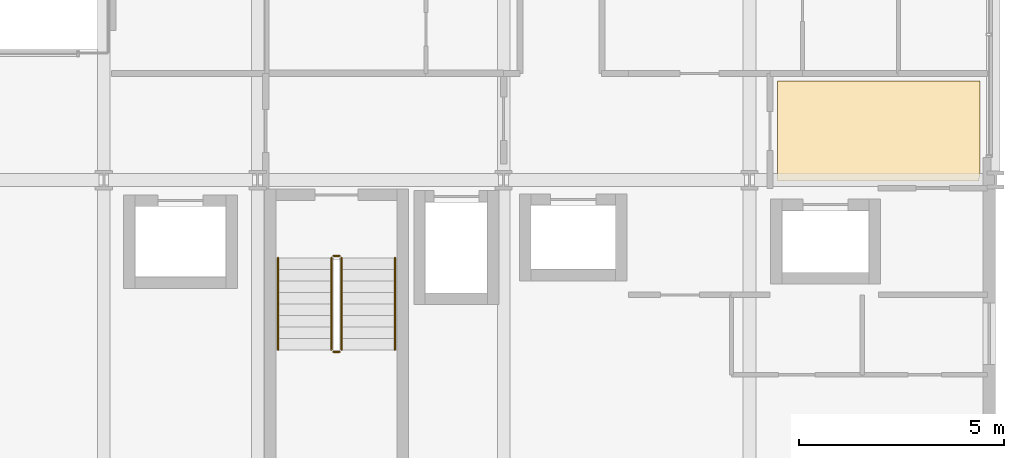
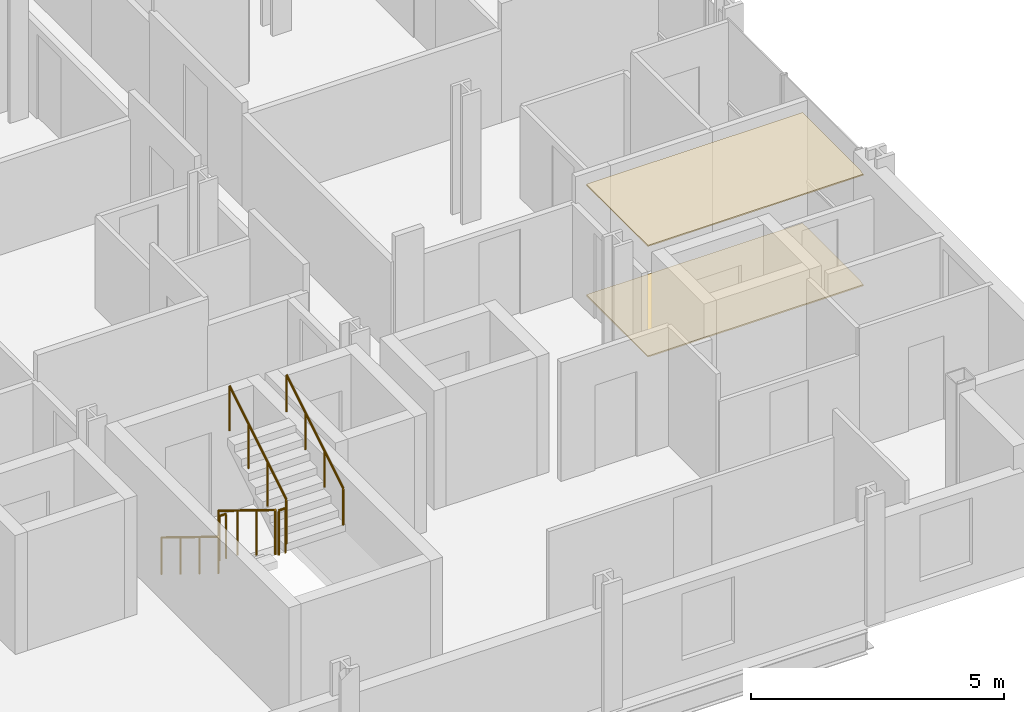
# One storey, part 40 of 41: 6 railings, 2 coverings.
"""IFC4 building model written with IfcOpenShell, lengths in metres."""

from ifc_helpers import new_model, si_unit, direction, frame, origin, origin_2d, place, context, subcontext, project, spatial, polyline, circle, outline, extrude, material, layer, layer_set, type_object, element, save


model = new_model("IFC4")

# Units and contexts
model_context = context("Model", 3, precision=1e-05, world=origin(), true_north=direction((0.0, 1.0)))
body_context = subcontext(model_context, "Body", "Model", "MODEL_VIEW")
ifc_project = project(units=[si_unit("LENGTHUNIT", "METRE"), si_unit("AREAUNIT", "SQUARE_METRE"), si_unit("VOLUMEUNIT", "CUBIC_METRE"), si_unit("PLANEANGLEUNIT", "RADIAN"), si_unit("MASSUNIT", "GRAM", prefix="KILO")], contexts=[model_context])

# Site, building, storey
site_placement = place(None, origin())
site = spatial("IfcSite", under=ifc_project, at=site_placement, CompositionType="ELEMENT")
building_placement = place(site_placement, origin())
building = spatial("IfcBuilding", under=site, at=building_placement, Name="Brevholm Reach", CompositionType="ELEMENT")
storey_placement = place(building_placement, frame((0.0, 0.0, 55.89990234375)))
storey = spatial("IfcBuildingStorey", under=building, at=storey_placement, Name="L15", CompositionType="ELEMENT", Elevation=55.89990234375)

# Coverings
ifc_material_1 = material(Name="Moisture-Resistant Skimmed Gypsum Plasterboard Ceiling", Category="gypsum")
ifc_layer_1 = layer(ifc_material_1, 0.030029296875)
ifc_layer_set_1 = layer_set([ifc_layer_1], Name="Moisture-Resistant Skimmed Gypsum Plasterboard Ceiling")
covering_type_1 = type_object("IfcCoveringType", Name="COV-CLG-GYP", PredefinedType="CEILING", material=ifc_layer_set_1)
covering_1_placement = place(storey_placement, frame((0.0, 0.0, 2.670166015625)))
element("IfcCovering", 1, at=covering_1_placement, inside=storey, type_object=covering_type_1, Name="L15 Suspended Ceiling L15-33", PredefinedType="CEILING", context=body_context, shape_type="SweptSolid", body=[
    extrude(outline(polyline([(59.6201171875, 12.419921875), (59.6201171875, 10.123779296875), (59.6171875, 10.1162109375), (59.607666015625, 10.077880859375), (59.601806640625, 10.039306640625), (59.60009765625, 10.0), (59.60107421875, 9.97998046875), (54.68408203125, 9.97998046875), (54.68408203125, 12.419921875), (59.6201171875, 12.419921875)])), origin(), (0.0, 0.0, 1.0), 0.030029296875),
])
ifc_material_2 = material(Name="Honed Portland-Aggregate Resin Terrazzo Flooring", Category="concrete")
ifc_layer_2 = layer(ifc_material_2, 0.031982421875)
ifc_layer_set_2 = layer_set([ifc_layer_2], Name="Honed Portland-Aggregate Resin Terrazzo Flooring")
covering_type_2 = type_object("IfcCoveringType", Name="COV-FLR-TRZ", PredefinedType="FLOORING", material=ifc_layer_set_2)
covering_2_placement = place(storey_placement, origin())
element("IfcCovering", 2, at=covering_2_placement, inside=storey, type_object=covering_type_2, Name="L15 Floor Finish L15-33", PredefinedType="FLOORING", context=body_context, shape_type="SweptSolid", body=[
    extrude(outline(polyline([(59.6201171875, 12.419921875), (59.6201171875, 10.123779296875), (59.6171875, 10.1162109375), (59.607666015625, 10.077880859375), (59.601806640625, 10.039306640625), (59.60009765625, 10.0), (59.60107421875, 9.97998046875), (54.68408203125, 9.97998046875), (54.68408203125, 12.419921875), (59.6201171875, 12.419921875)])), origin(), (0.0, 0.0, 1.0), 0.031982421875),
])

# Railings
ifc_material_3 = material(Name="Brushed Stainless Steel EN 1.4401 Continuous Handrail", Category="steel")
railing_type_1 = type_object("IfcRailingType", Name="RAL-HND-950", PredefinedType="HANDRAIL", material=ifc_material_3)
railing_1_placement = place(storey_placement, frame((42.5, 8.10009765625, 0.17236328125)))
element("IfcRailing", 3, at=railing_1_placement, inside=storey, type_object=railing_type_1, Name="L15 ST-2 stair handrail 1", PredefinedType="HANDRAIL", context=body_context, shape_type="SweptSolid", body=[
    extrude(circle(Radius=0.02392578125, at=origin_2d()), frame((0.0, 0.0, 0.8857421875), z_axis=(0.0, -0.85178898068, 0.523885037382), x_axis=(1.0, 0.0, 0.0)), (0.0, 0.0, 1.0), 2.629638671875),
    extrude(circle(Radius=0.02099609375, at=origin_2d()), origin(), (0.0, 0.0, 1.0), 0.86181640625),
    extrude(circle(Radius=0.02099609375, at=origin_2d()), frame((0.0, -0.74658203125, 0.459228515625)), (0.0, 0.0, 1.0), 0.86181640625),
    extrude(circle(Radius=0.02099609375, at=origin_2d()), frame((0.0, -1.493408203125, 0.91845703125)), (0.0, 0.0, 1.0), 0.86181640625),
    extrude(circle(Radius=0.02099609375, at=origin_2d()), frame((0.0, -2.239990234375, 1.377685546875)), (0.0, 0.0, 1.0), 0.86181640625),
])
railing_2_placement = place(storey_placement, frame((45.35009765625, 5.860107421875, 1.722412109375)))
element("IfcRailing", 4, at=railing_2_placement, inside=storey, type_object=railing_type_1, Name="L15 ST-2 stair handrail 2", PredefinedType="HANDRAIL", context=body_context, shape_type="SweptSolid", body=[
    extrude(circle(Radius=0.02392578125, at=origin_2d()), frame((0.0, 0.0, 0.8857421875), z_axis=(0.0, 0.85178898068, 0.523885037382), x_axis=(-1.0, 0.0, 0.0)), (0.0, 0.0, 1.0), 2.629638671875),
    extrude(circle(Radius=0.02099609375, at=origin_2d()), origin(), (0.0, 0.0, 1.0), 0.86181640625),
    extrude(circle(Radius=0.02099609375, at=origin_2d()), frame((0.0, 0.74658203125, 0.459228515625)), (0.0, 0.0, 1.0), 0.86181640625),
    extrude(circle(Radius=0.02099609375, at=origin_2d()), frame((0.0, 1.493408203125, 0.91845703125)), (0.0, 0.0, 1.0), 0.86181640625),
    extrude(circle(Radius=0.02099609375, at=origin_2d()), frame((0.0, 2.239990234375, 1.377685546875)), (0.0, 0.0, 1.0), 0.86181640625),
])
ifc_material_4 = material(Name="Painted Tubular Galvanised Steel S275JR Stair Guard", Category="steel")
railing_type_2 = type_object("IfcRailingType", Name="RAL-STG-1120", PredefinedType="BALUSTRADE", material=ifc_material_4)
railing_3_placement = place(storey_placement, frame((43.800048828125, 8.10009765625, 0.17236328125)))
element("IfcRailing", 5, at=railing_3_placement, inside=storey, type_object=railing_type_2, Name="L15 ST-2 stair guard 1", PredefinedType="BALUSTRADE", context=body_context, shape_type="SweptSolid", body=[
    extrude(circle(Radius=0.02392578125, at=origin_2d()), frame((0.0, 0.0, 1.076171875), z_axis=(0.0, -0.85178898068, 0.523885037382), x_axis=(1.0, 0.0, 0.0)), (0.0, 0.0, 1.0), 2.629638671875),
    extrude(circle(Radius=0.02099609375, at=origin_2d()), origin(), (0.0, 0.0, 1.0), 1.052001953125),
    extrude(circle(Radius=0.02099609375, at=origin_2d()), frame((0.0, -0.74658203125, 0.459228515625)), (0.0, 0.0, 1.0), 1.052001953125),
    extrude(circle(Radius=0.02099609375, at=origin_2d()), frame((0.0, -1.493408203125, 0.91845703125)), (0.0, 0.0, 1.0), 1.052001953125),
    extrude(circle(Radius=0.02099609375, at=origin_2d()), frame((0.0, -2.239990234375, 1.377685546875)), (0.0, 0.0, 1.0), 1.052001953125),
])
railing_4_placement = place(storey_placement, frame((43.85009765625, 5.81005859375, 1.550048828125)))
element("IfcRailing", 6, at=railing_4_placement, inside=storey, type_object=railing_type_2, Name="L15 ST-2 stair guard 2", PredefinedType="BALUSTRADE", context=body_context, shape_type="SweptSolid", body=[
    extrude(circle(Radius=0.02392578125, at=origin_2d()), frame((0.0, 0.0, 1.076171875), z_axis=(1.0, 0.0, 0.0), x_axis=(0.0, 1.0, 0.0)), (0.0, 0.0, 1.0), 0.14990234375),
    extrude(circle(Radius=0.02099609375, at=origin_2d()), origin(), (0.0, 0.0, 1.0), 1.052001953125),
    extrude(circle(Radius=0.02099609375, at=origin_2d()), frame((0.14990234375, 0.0, 0.0)), (0.0, 0.0, 1.0), 1.052001953125),
])
railing_5_placement = place(storey_placement, frame((44.050048828125, 5.860107421875, 1.722412109375)))
element("IfcRailing", 7, at=railing_5_placement, inside=storey, type_object=railing_type_2, Name="L15 ST-2 stair guard 3", PredefinedType="BALUSTRADE", context=body_context, shape_type="SweptSolid", body=[
    extrude(circle(Radius=0.02392578125, at=origin_2d()), frame((0.0, 0.0, 1.076171875), z_axis=(0.0, 0.85178898068, 0.523885037382), x_axis=(-1.0, 0.0, 0.0)), (0.0, 0.0, 1.0), 2.629638671875),
    extrude(circle(Radius=0.02099609375, at=origin_2d()), origin(), (0.0, 0.0, 1.0), 1.052001953125),
    extrude(circle(Radius=0.02099609375, at=origin_2d()), frame((0.0, 0.74658203125, 0.459228515625)), (0.0, 0.0, 1.0), 1.052001953125),
    extrude(circle(Radius=0.02099609375, at=origin_2d()), frame((0.0, 1.493408203125, 0.91845703125)), (0.0, 0.0, 1.0), 1.052001953125),
    extrude(circle(Radius=0.02099609375, at=origin_2d()), frame((0.0, 2.239990234375, 1.377685546875)), (0.0, 0.0, 1.0), 1.052001953125),
])
railing_6_placement = place(storey_placement, frame((43.85009765625, 8.14990234375, 0.0)))
element("IfcRailing", 8, at=railing_6_placement, inside=storey, type_object=railing_type_2, Name="L15 ST-2 stair guard 4", PredefinedType="BALUSTRADE", context=body_context, shape_type="SweptSolid", body=[
    extrude(circle(Radius=0.02392578125, at=origin_2d()), frame((0.0, 0.0, 1.076171875), z_axis=(1.0, 0.0, 0.0), x_axis=(0.0, 1.0, 0.0)), (0.0, 0.0, 1.0), 0.14990234375),
    extrude(circle(Radius=0.02099609375, at=origin_2d()), origin(), (0.0, 0.0, 1.0), 1.052001953125),
    extrude(circle(Radius=0.02099609375, at=origin_2d()), frame((0.14990234375, 0.0, 0.0)), (0.0, 0.0, 1.0), 1.052001953125),
])

save(model, "model.ifc")
